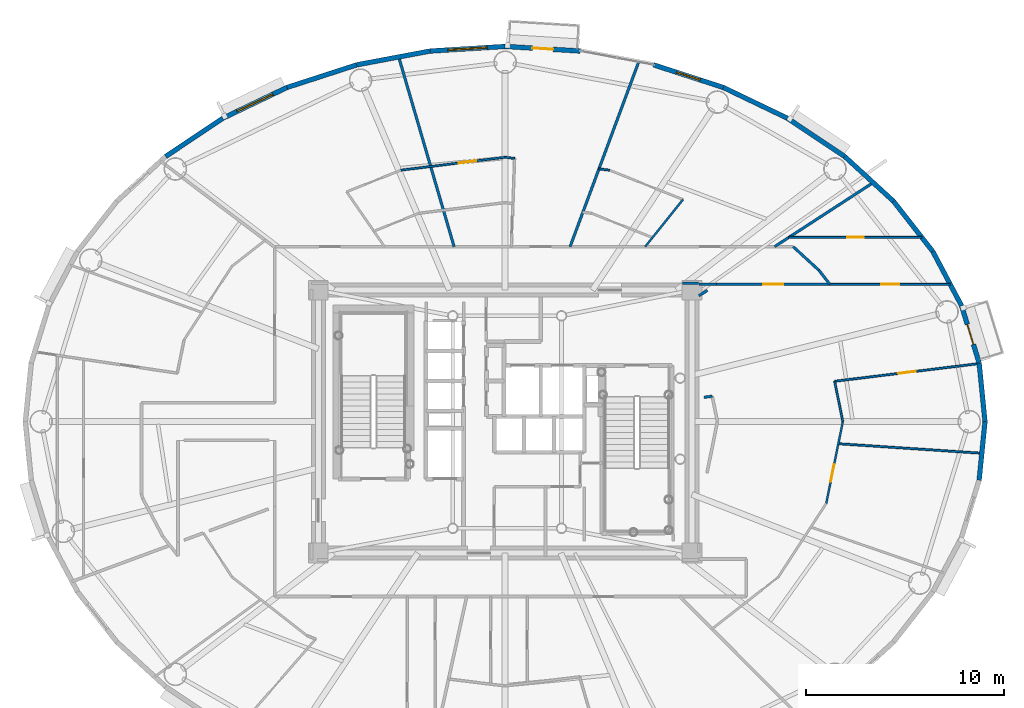
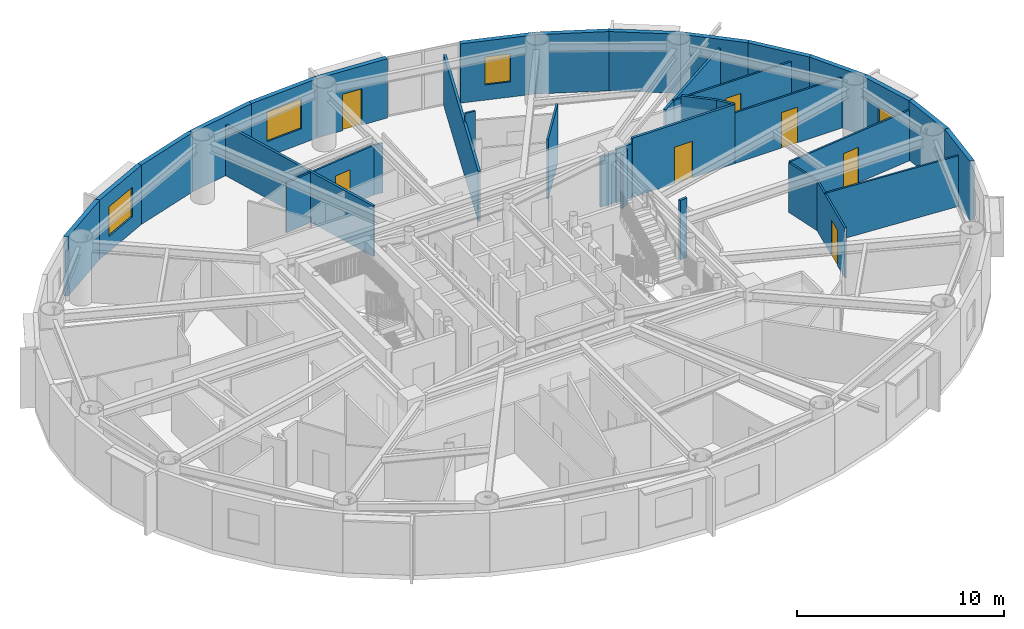
# One storey, part 11 of 20: 35 walls, 8 doors, 3 windows, 11 openings.
"""IFC4 building model written with IfcOpenShell, lengths in metres."""

from ifc_helpers import new_model, si_unit, direction, frame, frame_2d, origin, origin_2d, place, context, subcontext, project, spatial, rectangle, extrude, source, transform, mapped, material, layer, layer_set, type_object, element, fill, save


model = new_model("IFC4")

# Units and contexts
model_context = context("Model", 3, precision=1e-05, world=origin(), true_north=direction((0.0, 1.0)))
body_context = subcontext(model_context, "Body", "Model", "MODEL_VIEW")
ifc_project = project(units=[si_unit("LENGTHUNIT", "METRE"), si_unit("AREAUNIT", "SQUARE_METRE"), si_unit("VOLUMEUNIT", "CUBIC_METRE"), si_unit("PLANEANGLEUNIT", "RADIAN"), si_unit("MASSUNIT", "GRAM", prefix="KILO")], contexts=[model_context])

# Site, building, storey
site_placement = place(None, origin())
site = spatial("IfcSite", under=ifc_project, at=site_placement, CompositionType="ELEMENT")
building_placement = place(site_placement, origin())
building = spatial("IfcBuilding", under=site, at=building_placement, Name="Linh Dai School and Residence Tower", CompositionType="ELEMENT")
storey_placement = place(building_placement, frame((0.0, 0.0, 221.550048828125)))
storey = spatial("IfcBuildingStorey", under=building, at=storey_placement, Name="L54", CompositionType="ELEMENT", Elevation=221.550048828125)

# Wall
ifc_material_1 = material(Name="Precast Concrete B45 (C35/45)", Category="concrete")
ifc_layer_1 = layer(ifc_material_1, 0.239990234375)
ifc_layer_set_1 = layer_set([ifc_layer_1], Name="Precast Concrete B45 (C35/45)")
wall_type_1 = type_object("IfcWallType", Name="EW-TC-240", PredefinedType="SOLIDWALL", material=ifc_layer_set_1)
wall_1_placement = place(storey_placement, frame((59.97705078125, 29.9638671875, 0.0), z_axis=(0.0, 0.0, 1.0), x_axis=(0.099990595253, -0.994988382274, 0.0)))
element("IfcWall", 1, at=wall_1_placement, inside=storey, type_object=wall_type_1, Name="L54 Terracotta Exterior Wall 01", PredefinedType="SOLIDWALL", context=body_context, shape_type="SweptSolid", body=[
    extrude(rectangle(XDim=2.978759765625, YDim=0.239990234375, at=frame_2d((1.4892578125, 0.0))), origin(), (0.0, 0.0, 1.0), 3.5),
])

# Wall, opening, door
wall_2_placement = place(storey_placement, frame((59.09033203125, 32.85595703125, 0.0), z_axis=(0.0, 0.0, 1.0), x_axis=(0.293132907334, -0.95607170162, 0.0)))
wall_2 = element("IfcWall", 2, at=wall_2_placement, inside=storey, type_object=wall_type_1, Name="L54 Terracotta Exterior Wall 02", PredefinedType="SOLIDWALL", context=body_context, shape_type="SweptSolid", body=[
    extrude(rectangle(XDim=3.02490234375, YDim=0.239990234375, at=frame_2d((1.512451171875, 0.0))), origin(), (0.0, 0.0, 1.0), 3.5),
])
opening_1_placement = place(wall_2_placement, frame((0.9873046875, 0.0, 0.0)))
opening_1 = element("IfcOpeningElement", 3, at=opening_1_placement, cuts=wall_2, Name="Opening BD1", PredefinedType="OPENING", context=body_context, shape_type="SweptSolid", body=[
    extrude(rectangle(XDim=1.050048828125, YDim=2.14990234375, at=origin_2d()), frame((0.52490234375, 0.1298828125, 1.074951171875), z_axis=(0.0, -1.0, 0.0), x_axis=(1.0, 0.0, 0.0)), (0.0, 0.0, 1.0), 0.260009765625),
])
ifc_material_2 = material(Name="Double-Glazed Balcony Door", Category="glass")
door_type_1 = type_object("IfcDoorType", Name="DR-BALC-1050x2150", OperationType="NOTDEFINED", PredefinedType="DOOR", material=ifc_material_2)
shared_shape_1 = source(origin(), body_context, "Body", "SweptSolid", [
    extrude(rectangle(XDim=1.050048828125, YDim=2.14990234375, at=origin_2d()), frame((0.52490234375, 0.02490234375, 1.074951171875), z_axis=(0.0, -1.0, 0.0), x_axis=(1.0, 0.0, 0.0)), (0.0, 0.0, 1.0), 0.050048828125),
])
door_1_placement = place(opening_1_placement, origin())
door_1 = element("IfcDoor", 4, at=door_1_placement, inside=storey, type_object=door_type_1, Name="L54 Glazed Balcony Door 02", OperationType="SINGLE_SWING_RIGHT", OverallHeight=2.14990234375, OverallWidth=1.050048828125, PredefinedType="DOOR", context=body_context, shape_type="MappedRepresentation", body=[
    mapped(shared_shape_1, transform((0.0, 0.0, 0.0), x_axis=(1.0, 0.0, 0.0), y_axis=(0.0, 1.0, 0.0), z_axis=(0.0, 0.0, 1.0), scale=1.0)),
])
fill(opening_1, door_1)

# Walls
wall_3_placement = place(storey_placement, frame((57.6357421875, 35.605224609375, 0.0), z_axis=(0.0, 0.0, 1.0), x_axis=(0.46766049993, -0.883908172157, 0.0)))
element("IfcWall", 5, at=wall_3_placement, inside=storey, type_object=wall_type_1, Name="L54 Terracotta Exterior Wall 03", PredefinedType="SOLIDWALL", context=body_context, shape_type="SweptSolid", body=[
    extrude(rectangle(XDim=3.1103515625, YDim=0.239990234375, at=frame_2d((1.55517578125, 0.0))), origin(), (0.0, 0.0, 1.0), 3.5),
])
wall_4_placement = place(storey_placement, frame((55.6484375, 38.14453125, 0.0), z_axis=(0.0, 0.0, 1.0), x_axis=(0.616312344705, -0.787501805562, 0.0)))
element("IfcWall", 6, at=wall_4_placement, inside=storey, type_object=wall_type_1, Name="L54 Terracotta Exterior Wall 04", PredefinedType="SOLIDWALL", context=body_context, shape_type="SweptSolid", body=[
    extrude(rectangle(XDim=3.224609375, YDim=0.239990234375, at=frame_2d((1.6123046875, 0.0))), origin(), (0.0, 0.0, 1.0), 3.5),
])
wall_5_placement = place(storey_placement, frame((53.17626953125, 40.410888671875, 0.0), z_axis=(0.0, 0.0, 1.0), x_axis=(0.737123922599, -0.675757591694, 0.0)))
element("IfcWall", 7, at=wall_5_placement, inside=storey, type_object=wall_type_1, Name="L54 Terracotta Exterior Wall 05", PredefinedType="SOLIDWALL", context=body_context, shape_type="SweptSolid", body=[
    extrude(rectangle(XDim=3.353759765625, YDim=0.239990234375, at=frame_2d((1.6767578125, 0.0))), origin(), (0.0, 0.0, 1.0), 3.5),
])
wall_6_placement = place(storey_placement, frame((50.280029296875, 42.34765625, 0.0), z_axis=(0.0, 0.0, 1.0), x_axis=(0.831262496074, -0.555880079352, 0.0)))
element("IfcWall", 8, at=wall_6_placement, inside=storey, type_object=wall_type_1, Name="L54 Terracotta Exterior Wall 06", PredefinedType="SOLIDWALL", context=body_context, shape_type="SweptSolid", body=[
    extrude(rectangle(XDim=3.484130859375, YDim=0.239990234375, at=frame_2d((1.7421875, 0.0))), origin(), (0.0, 0.0, 1.0), 3.5),
])
wall_7_placement = place(storey_placement, frame((47.031005859375, 43.906494140625, 0.0), z_axis=(0.0, 0.0, 1.0), x_axis=(0.901598104751, -0.432574684313, 0.0)))
element("IfcWall", 9, at=wall_7_placement, inside=storey, type_object=wall_type_1, Name="L54 Terracotta Exterior Wall 07", PredefinedType="SOLIDWALL", context=body_context, shape_type="SweptSolid", body=[
    extrude(rectangle(XDim=3.603515625, YDim=0.239990234375, at=frame_2d((1.8017578125, 0.0))), origin(), (0.0, 0.0, 1.0), 3.5),
])

# Wall, opening, window
wall_8_placement = place(storey_placement, frame((43.50927734375, 45.048828125, 0.0), z_axis=(0.0, 0.0, 1.0), x_axis=(0.951210789182, -0.308541787354, 0.0)))
wall_8 = element("IfcWall", 10, at=wall_8_placement, inside=storey, type_object=wall_type_1, Name="L54 Terracotta Exterior Wall 08", PredefinedType="SOLIDWALL", context=body_context, shape_type="SweptSolid", body=[
    extrude(rectangle(XDim=3.702392578125, YDim=0.239990234375, at=frame_2d((1.85107421875, 0.0))), origin(), (0.0, 0.0, 1.0), 3.5),
])
opening_2_placement = place(wall_8_placement, frame((1.226318359375, 0.0, 0.89990234375)))
opening_2 = element("IfcOpeningElement", 11, at=opening_2_placement, cuts=wall_8, Name="Opening W3", PredefinedType="OPENING", context=body_context, shape_type="SweptSolid", body=[
    extrude(rectangle(XDim=1.25, YDim=1.64990234375, at=origin_2d()), frame((0.625, 0.1298828125, 0.824951171875), z_axis=(0.0, -1.0, 0.0), x_axis=(1.0, 0.0, 0.0)), (0.0, 0.0, 1.0), 0.260009765625),
])
ifc_material_3 = material(Name="Double Low-E Insulated Glazing", Category="glass")
window_type_1 = type_object("IfcWindowType", Name="WN-RES-1250x1650", PartitioningType="SINGLE_PANEL", PredefinedType="WINDOW", material=ifc_material_3)
shared_shape_2 = source(origin(), body_context, "Body", "SweptSolid", [
    extrude(rectangle(XDim=1.25, YDim=1.64990234375, at=origin_2d()), frame((0.625, 0.030029296875, 0.824951171875), z_axis=(0.0, -1.0, 0.0), x_axis=(1.0, 0.0, 0.0)), (0.0, 0.0, 1.0), 0.06005859375),
])
window_1_placement = place(opening_2_placement, origin())
window_1 = element("IfcWindow", 12, at=window_1_placement, inside=storey, type_object=window_type_1, Name="L54 Dwelling Window U5401-LIV", OverallHeight=1.64990234375, OverallWidth=1.25, PartitioningType="SINGLE_PANEL", PredefinedType="WINDOW", context=body_context, shape_type="MappedRepresentation", body=[
    mapped(shared_shape_2, transform((0.0, 0.0, 0.0), x_axis=(1.0, 0.0, 0.0), y_axis=(0.0, 1.0, 0.0), z_axis=(0.0, 0.0, 1.0), scale=1.0)),
])
fill(opening_2, window_1)

# Wall, opening, door
wall_9_placement = place(storey_placement, frame((36.0, 45.97998046875, 0.0), z_axis=(0.0, 0.0, 1.0), x_axis=(0.998108785312, -0.06147237333, 0.0)))
wall_9 = element("IfcWall", 13, at=wall_9_placement, inside=storey, type_object=wall_type_1, Name="L54 Terracotta Exterior Wall 10", PredefinedType="SOLIDWALL", context=body_context, shape_type="SweptSolid", body=[
    extrude(rectangle(XDim=3.808837890625, YDim=0.239990234375, at=frame_2d((1.904296875, 0.0))), origin(), (0.0, 0.0, 1.0), 3.5),
])
opening_3_placement = place(wall_9_placement, frame((1.37939453125, 0.0, 0.0)))
opening_3 = element("IfcOpeningElement", 14, at=opening_3_placement, cuts=wall_9, Name="Opening BD1", PredefinedType="OPENING", context=body_context, shape_type="SweptSolid", body=[
    extrude(rectangle(XDim=1.050048828125, YDim=2.14990234375, at=origin_2d()), frame((0.52490234375, 0.1298828125, 1.074951171875), z_axis=(0.0, -1.0, 0.0), x_axis=(1.0, 0.0, 0.0)), (0.0, 0.0, 1.0), 0.260009765625),
])
door_2_placement = place(opening_3_placement, origin())
door_2 = element("IfcDoor", 15, at=door_2_placement, inside=storey, type_object=door_type_1, Name="L54 Glazed Balcony Door 10", OperationType="SINGLE_SWING_LEFT", OverallHeight=2.14990234375, OverallWidth=1.050048828125, PredefinedType="DOOR", context=body_context, shape_type="MappedRepresentation", body=[
    mapped(shared_shape_1, transform((0.0, 0.0, 0.0), x_axis=(1.0, 0.0, 0.0), y_axis=(0.0, 1.0, 0.0), z_axis=(0.0, 0.0, 1.0), scale=1.0)),
])
fill(opening_3, door_2)

# Wall, opening, window
wall_10_placement = place(storey_placement, frame((32.198486328125, 45.745849609375, 0.0), z_axis=(0.0, 0.0, 1.0), x_axis=(0.998108785312, 0.06147237333, 0.0)))
wall_10 = element("IfcWall", 16, at=wall_10_placement, inside=storey, type_object=wall_type_1, Name="L54 Terracotta Exterior Wall 11", PredefinedType="SOLIDWALL", context=body_context, shape_type="SweptSolid", body=[
    extrude(rectangle(XDim=3.808837890625, YDim=0.239990234375, at=frame_2d((1.904296875, 0.0))), origin(), (0.0, 0.0, 1.0), 3.5),
])
opening_4_placement = place(wall_10_placement, frame((0.904541015625, 0.0, 0.89990234375)))
opening_4 = element("IfcOpeningElement", 17, at=opening_4_placement, cuts=wall_10, Name="Opening W1", PredefinedType="OPENING", context=body_context, shape_type="SweptSolid", body=[
    extrude(rectangle(XDim=2.0, YDim=1.75, at=origin_2d()), frame((1.0, 0.1298828125, 0.875), z_axis=(0.0, -1.0, 0.0), x_axis=(1.0, 0.0, 0.0)), (0.0, 0.0, 1.0), 0.260009765625),
])
window_type_2 = type_object("IfcWindowType", Name="WN-RES-2000x1750", PartitioningType="DOUBLE_PANEL_VERTICAL", PredefinedType="WINDOW", material=ifc_material_3)
shared_shape_3 = source(origin(), body_context, "Body", "SweptSolid", [
    extrude(rectangle(XDim=2.0, YDim=1.75, at=origin_2d()), frame((1.0, 0.030029296875, 0.875), z_axis=(0.0, -1.0, 0.0), x_axis=(1.0, 0.0, 0.0)), (0.0, 0.0, 1.0), 0.06005859375),
])
window_2_placement = place(opening_4_placement, origin())
window_2 = element("IfcWindow", 18, at=window_2_placement, inside=storey, type_object=window_type_2, Name="L54 Exterior Window 11.1", OverallHeight=1.75, OverallWidth=2.0, PartitioningType="DOUBLE_PANEL_VERTICAL", PredefinedType="WINDOW", context=body_context, shape_type="MappedRepresentation", body=[
    mapped(shared_shape_3, transform((0.0, 0.0, 0.0), x_axis=(1.0, 0.0, 0.0), y_axis=(0.0, 1.0, 0.0), z_axis=(0.0, 0.0, 1.0), scale=1.0)),
])
fill(opening_4, window_2)

# Walls
wall_11_placement = place(storey_placement, frame((28.49072265625, 45.048828125, 0.0), z_axis=(0.0, 0.0, 1.0), x_axis=(0.982784898575, 0.184753465822, 0.0)))
element("IfcWall", 19, at=wall_11_placement, inside=storey, type_object=wall_type_1, Name="L54 Terracotta Exterior Wall 12", PredefinedType="SOLIDWALL", context=body_context, shape_type="SweptSolid", body=[
    extrude(rectangle(XDim=3.772705078125, YDim=0.239990234375, at=frame_2d((1.88623046875, 0.0))), origin(), (0.0, 0.0, 1.0), 3.5),
])
wall_12_placement = place(storey_placement, frame((24.968994140625, 43.906494140625, 0.0), z_axis=(0.0, 0.0, 1.0), x_axis=(0.951210789182, 0.308541787354, 0.0)))
element("IfcWall", 20, at=wall_12_placement, inside=storey, type_object=wall_type_1, Name="L54 Terracotta Exterior Wall 13", PredefinedType="SOLIDWALL", context=body_context, shape_type="SweptSolid", body=[
    extrude(rectangle(XDim=3.702392578125, YDim=0.239990234375, at=frame_2d((1.85107421875, 0.0))), origin(), (0.0, 0.0, 1.0), 3.5),
])

# Wall, opening, window
wall_13_placement = place(storey_placement, frame((21.719970703125, 42.34765625, 0.0), z_axis=(0.0, 0.0, 1.0), x_axis=(0.901598104751, 0.432574684313, 0.0)))
wall_13 = element("IfcWall", 21, at=wall_13_placement, inside=storey, type_object=wall_type_1, Name="L54 Terracotta Exterior Wall 14", PredefinedType="SOLIDWALL", context=body_context, shape_type="SweptSolid", body=[
    extrude(rectangle(XDim=3.603515625, YDim=0.239990234375, at=frame_2d((1.8017578125, 0.0))), origin(), (0.0, 0.0, 1.0), 3.5),
])
opening_5_placement = place(wall_13_placement, frame((0.802001953125, 0.0, 0.89990234375)))
opening_5 = element("IfcOpeningElement", 22, at=opening_5_placement, cuts=wall_13, Name="Opening W1", PredefinedType="OPENING", context=body_context, shape_type="SweptSolid", body=[
    extrude(rectangle(XDim=2.0, YDim=1.75, at=origin_2d()), frame((1.0, 0.1298828125, 0.875), z_axis=(0.0, -1.0, 0.0), x_axis=(1.0, 0.0, 0.0)), (0.0, 0.0, 1.0), 0.260009765625),
])
window_3_placement = place(opening_5_placement, origin())
window_3 = element("IfcWindow", 23, at=window_3_placement, inside=storey, type_object=window_type_2, Name="L54 Exterior Window 14.1", OverallHeight=1.75, OverallWidth=2.0, PartitioningType="DOUBLE_PANEL_VERTICAL", PredefinedType="WINDOW", context=body_context, shape_type="MappedRepresentation", body=[
    mapped(shared_shape_3, transform((0.0, 0.0, 0.0), x_axis=(1.0, 0.0, 0.0), y_axis=(0.0, 1.0, 0.0), z_axis=(0.0, 0.0, 1.0), scale=1.0)),
])
fill(opening_5, window_3)

# Walls
wall_14_placement = place(storey_placement, frame((18.82373046875, 40.410888671875, 0.0), z_axis=(0.0, 0.0, 1.0), x_axis=(0.831262496074, 0.555880079352, 0.0)))
element("IfcWall", 24, at=wall_14_placement, inside=storey, type_object=wall_type_1, Name="L54 Terracotta Exterior Wall 15", PredefinedType="SOLIDWALL", context=body_context, shape_type="SweptSolid", body=[
    extrude(rectangle(XDim=3.484130859375, YDim=0.239990234375, at=frame_2d((1.7421875, 0.0))), origin(), (0.0, 0.0, 1.0), 3.5),
])
wall_15_placement = place(storey_placement, frame((60.27490234375, 27.0, 0.0), z_axis=(0.0, 0.0, 1.0), x_axis=(-0.099990595253, -0.994988382274, 0.0)))
element("IfcWall", 25, at=wall_15_placement, inside=storey, type_object=wall_type_1, Name="L54 Terracotta Exterior Wall 40", PredefinedType="SOLIDWALL", context=body_context, shape_type="SweptSolid", body=[
    extrude(rectangle(XDim=2.978759765625, YDim=0.239990234375, at=frame_2d((1.4892578125, 0.0))), origin(), (0.0, 0.0, 1.0), 3.5),
])
ifc_material_4 = material(Name="Autoclaved Aerated Concrete Blockwork", Category="masonry")
ifc_layer_2 = layer(ifc_material_4, 0.135009765625)
ifc_layer_set_2 = layer_set([ifc_layer_2], Name="Autoclaved Aerated Concrete Blockwork")
wall_type_2 = type_object("IfcWallType", Name="IW-CORR-135-EI90", PredefinedType="PARTITIONING", material=ifc_layer_set_2)
wall_16_placement = place(storey_placement, frame((30.613037109375, 45.452880859375, 0.0), z_axis=(0.0, 0.0, 1.0), x_axis=(0.280222100614, -0.959935192775, 0.0)))
element("IfcWall", 26, at=wall_16_placement, inside=storey, type_object=wall_type_2, Name="L54 Interior Partition Wall 029", PredefinedType="PARTITIONING", context=body_context, shape_type="SweptSolid", body=[
    extrude(rectangle(XDim=10.003662109375, YDim=0.135009765625, at=frame_2d((5.001953125, 0.0))), origin(), (0.0, 0.0, 1.0), 2.98486328125),
])
wall_17_placement = place(storey_placement, frame((39.28466796875, 35.85009765625, 0.0), z_axis=(0.0, 0.0, 1.0), x_axis=(0.347978689674, 0.937502443481, 0.0)))
element("IfcWall", 27, at=wall_17_placement, inside=storey, type_object=wall_type_2, Name="L54 Interior Partition Wall 069", PredefinedType="PARTITIONING", context=body_context, shape_type="SweptSolid", body=[
    extrude(rectangle(XDim=9.968994140625, YDim=0.135009765625, at=frame_2d((4.984375, 0.0))), origin(), (0.0, 0.0, 1.0), 2.98486328125),
])

# Wall, opening, door
wall_18_placement = place(storey_placement, frame((46.69091796875, 33.949951171875, 0.0), z_axis=(0.0, 0.0, 1.0), x_axis=(1.0, 0.0, 0.0)))
wall_18 = element("IfcWall", 28, at=wall_18_placement, inside=storey, type_object=wall_type_2, Name="L54 Interior Partition Wall 086", PredefinedType="PARTITIONING", context=body_context, shape_type="SweptSolid", body=[
    extrude(rectangle(XDim=5.73291015625, YDim=0.135009765625, at=frame_2d((2.866455078125, 0.0))), origin(), (0.0, 0.0, 1.0), 3.5),
])
opening_6_placement = place(wall_18_placement, frame((2.366455078125, 0.0, 0.0)))
opening_6 = element("IfcOpeningElement", 29, at=opening_6_placement, cuts=wall_18, Name="Opening D03", PredefinedType="OPENING", context=body_context, shape_type="SweptSolid", body=[
    extrude(rectangle(XDim=1.0, YDim=2.14990234375, at=origin_2d()), frame((0.5, 0.07763671875, 1.074951171875), z_axis=(0.0, -1.0, 0.0), x_axis=(1.0, 0.0, 0.0)), (0.0, 0.0, 1.0), 0.155029296875),
])
ifc_material_5 = material(Name="Fire-Rated Solid Timber Entrance Door", Category="wood")
door_type_2 = type_object("IfcDoorType", Name="DR-FLAT-1000x2150-FD60S", OperationType="NOTDEFINED", PredefinedType="DOOR", material=ifc_material_5)
shared_shape_4 = source(origin(), body_context, "Body", "SweptSolid", [
    extrude(rectangle(XDim=1.0, YDim=2.14990234375, at=origin_2d()), frame((0.5, 0.02490234375, 1.074951171875), z_axis=(0.0, -1.0, 0.0), x_axis=(1.0, 0.0, 0.0)), (0.0, 0.0, 1.0), 0.050048828125),
])
door_3_placement = place(opening_6_placement, origin())
door_3 = element("IfcDoor", 30, at=door_3_placement, inside=storey, type_object=door_type_2, Name="L54 U5407 Apartment Entrance Door", OperationType="SINGLE_SWING_RIGHT", OverallHeight=2.14990234375, OverallWidth=1.0, PredefinedType="DOOR", context=body_context, shape_type="MappedRepresentation", body=[
    mapped(shared_shape_4, transform((0.0, 0.0, 0.0), x_axis=(1.0, 0.0, 0.0), y_axis=(0.0, 1.0, 0.0), z_axis=(0.0, 0.0, 1.0), scale=1.0)),
])
fill(opening_6, door_3)

# Walls
wall_19_placement = place(storey_placement, frame((49.627685546875, 35.85009765625, 0.0), z_axis=(0.0, 0.0, 1.0), x_axis=(0.838688976762, 0.544610686875, 0.0)))
element("IfcWall", 31, at=wall_19_placement, inside=storey, type_object=wall_type_2, Name="L54 Interior Partition Wall 088", PredefinedType="PARTITIONING", context=body_context, shape_type="SweptSolid", body=[
    extrude(rectangle(XDim=5.9541015625, YDim=0.135009765625, at=frame_2d((2.97705078125, 0.0))), origin(), (0.0, 0.0, 1.0), 2.98486328125),
])
wall_20_placement = place(storey_placement, frame((50.56787109375, 35.85009765625, 0.0), z_axis=(0.0, 0.0, 1.0), x_axis=(0.737102657331, -0.675780787353, 0.0)))
element("IfcWall", 32, at=wall_20_placement, inside=storey, type_object=wall_type_2, Name="L54 Interior Partition Wall 091", PredefinedType="PARTITIONING", context=body_context, shape_type="SweptSolid", body=[
    extrude(rectangle(XDim=1.771728515625, YDim=0.135009765625, at=frame_2d((0.8857421875, 0.0))), origin(), (0.0, 0.0, 1.0), 3.5),
])
wall_21_placement = place(storey_placement, frame((51.873779296875, 34.65283203125, 0.0), z_axis=(0.0, 0.0, 1.0), x_axis=(0.61628613448, -0.787522317429, 0.0)))
element("IfcWall", 33, at=wall_21_placement, inside=storey, type_object=wall_type_2, Name="L54 Interior Partition Wall 093", PredefinedType="PARTITIONING", context=body_context, shape_type="SweptSolid", body=[
    extrude(rectangle(XDim=0.892578125, YDim=0.135009765625, at=frame_2d((0.4462890625, 0.0))), origin(), (0.0, 0.0, 1.0), 3.5),
])
wall_22_placement = place(storey_placement, frame((46.680908203125, 33.949951171875, 0.0), z_axis=(0.0, 0.0, 1.0), x_axis=(-1.0, 0.0, 0.0)))
element("IfcWall", 34, at=wall_22_placement, inside=storey, type_object=wall_type_2, Name="L54 Interior Partition Wall 106", PredefinedType="PARTITIONING", context=body_context, shape_type="SweptSolid", body=[
    extrude(rectangle(XDim=0.880859375, YDim=0.135009765625, at=frame_2d((0.4404296875, 0.0))), origin(), (0.0, 0.0, 1.0), 3.18505859375),
])
wall_23_placement = place(storey_placement, frame((45.7900390625, 34.0, 0.0), z_axis=(0.0, 0.0, 1.0), x_axis=(-1.0, 0.0, 0.0)))
element("IfcWall", 35, at=wall_23_placement, inside=storey, type_object=wall_type_2, Name="L54 Interior Partition Wall 107", PredefinedType="PARTITIONING", context=body_context, shape_type="SweptSolid", body=[
    extrude(rectangle(XDim=0.830078125, YDim=0.135009765625, at=frame_2d((0.4150390625, 0.0))), origin(), (0.0, 0.0, 1.0), 2.93505859375),
])
wall_24_placement = place(storey_placement, frame((46.4765625, 28.282958984375, 0.0), z_axis=(0.0, 0.0, 1.0), x_axis=(-0.992649287811, -0.121026407893, 0.0)))
element("IfcWall", 36, at=wall_24_placement, inside=storey, type_object=wall_type_2, Name="L54 Interior Partition Wall 120", PredefinedType="PARTITIONING", context=body_context, shape_type="SweptSolid", body=[
    extrude(rectangle(XDim=0.419677734375, YDim=0.135009765625, at=frame_2d((0.2099609375, 0.0))), origin(), (0.0, 0.0, 1.0), 3.5),
])
wall_25_placement = place(storey_placement, frame((45.800048828125, 33.3642578125, 0.0), z_axis=(0.0, 0.0, 1.0), x_axis=(0.838607336961, 0.544736389821, 0.0)))
element("IfcWall", 37, at=wall_25_placement, inside=storey, type_object=wall_type_2, Name="L54 Interior Partition Wall 121", PredefinedType="PARTITIONING", context=body_context, shape_type="SweptSolid", body=[
    extrude(rectangle(XDim=0.510986328125, YDim=0.135009765625, at=frame_2d((0.25537109375, 0.0))), origin(), (0.0, 0.0, 1.0), 3.18505859375),
])

# Wall, opening, door
ifc_material_6 = material(Name="Gypsum Plasterboard Acoustic Stud Partition", Category="masonry")
ifc_layer_3 = layer(ifc_material_6, 0.10009765625)
ifc_layer_set_3 = layer_set([ifc_layer_3], Name="Gypsum Plasterboard Acoustic Stud Partition")
wall_type_3 = type_object("IfcWallType", Name="IW-UNIT-100", PredefinedType="PARTITIONING", material=ifc_layer_set_3)
wall_26_placement = place(storey_placement, frame((30.721923828125, 39.718994140625, 0.0), z_axis=(0.0, 0.0, 1.0), x_axis=(0.992398169186, 0.123068573551, 0.0)))
wall_26 = element("IfcWall", 38, at=wall_26_placement, inside=storey, type_object=wall_type_3, Name="L54 Interior Partition Wall 030", PredefinedType="PARTITIONING", context=body_context, shape_type="SweptSolid", body=[
    extrude(rectangle(XDim=5.318603515625, YDim=0.10009765625, at=frame_2d((2.6591796875, 0.0))), origin(), (0.0, 0.0, 1.0), 2.93505859375),
])
opening_7_placement = place(wall_26_placement, frame((2.9501953125, 0.0, 0.0)))
opening_7 = element("IfcOpeningElement", 39, at=opening_7_placement, cuts=wall_26, Name="Opening D05", PredefinedType="OPENING", context=body_context, shape_type="SweptSolid", body=[
    extrude(rectangle(XDim=0.89990234375, YDim=2.10009765625, at=origin_2d()), frame((0.449951171875, 0.06005859375, 1.050048828125), z_axis=(0.0, -1.0, 0.0), x_axis=(1.0, 0.0, 0.0)), (0.0, 0.0, 1.0), 0.1201171875),
])
ifc_material_7 = material(Name="Engineered Timber Internal Door", Category="wood")
door_type_3 = type_object("IfcDoorType", Name="DR-INT-900x2100", OperationType="NOTDEFINED", PredefinedType="DOOR", material=ifc_material_7)
shared_shape_5 = source(origin(), body_context, "Body", "SweptSolid", [
    extrude(rectangle(XDim=0.89990234375, YDim=2.10009765625, at=origin_2d()), frame((0.449951171875, 0.02490234375, 1.050048828125), z_axis=(0.0, -1.0, 0.0), x_axis=(1.0, 0.0, 0.0)), (0.0, 0.0, 1.0), 0.050048828125),
])
door_4_placement = place(opening_7_placement, origin())
door_4 = element("IfcDoor", 40, at=door_4_placement, inside=storey, type_object=door_type_3, Name="L54 Apartment U5402 Kitchen Door", OperationType="SINGLE_SWING_RIGHT", OverallHeight=2.10009765625, OverallWidth=0.89990234375, PredefinedType="DOOR", context=body_context, shape_type="MappedRepresentation", body=[
    mapped(shared_shape_5, transform((0.0, 0.0, 0.0), x_axis=(1.0, 0.0, 0.0), y_axis=(0.0, 1.0, 0.0), z_axis=(0.0, 0.0, 1.0), scale=1.0)),
])
fill(opening_7, door_4)

# Walls
wall_27_placement = place(storey_placement, frame((36.0, 40.37353515625, 0.0), z_axis=(0.0, 0.0, 1.0), x_axis=(0.992363891793, -0.123344664517, 0.0)))
element("IfcWall", 41, at=wall_27_placement, inside=storey, type_object=wall_type_3, Name="L54 Interior Partition Wall 061", PredefinedType="PARTITIONING", context=body_context, shape_type="SweptSolid", body=[
    extrude(rectangle(XDim=0.47900390625, YDim=0.10009765625, at=frame_2d((0.239501953125, 0.0))), origin(), (0.0, 0.0, 1.0), 2.93505859375),
])
wall_28_placement = place(storey_placement, frame((40.745361328125, 39.784912109375, 0.0), z_axis=(0.0, 0.0, 1.0), x_axis=(0.992431053699, -0.122803109303, 0.0)))
element("IfcWall", 42, at=wall_28_placement, inside=storey, type_object=wall_type_3, Name="L54 Interior Partition Wall 077", PredefinedType="PARTITIONING", context=body_context, shape_type="SweptSolid", body=[
    extrude(rectangle(XDim=0.536865234375, YDim=0.10009765625, at=frame_2d((0.2685546875, 0.0))), origin(), (0.0, 0.0, 1.0), 3.5),
])
wall_29_placement = place(storey_placement, frame((43.08544921875, 35.85009765625, 0.0), z_axis=(0.0, 0.0, 1.0), x_axis=(0.62500673738, 0.780619355531, 0.0)))
element("IfcWall", 43, at=wall_29_placement, inside=storey, type_object=wall_type_3, Name="L54 Interior Partition Wall 081", PredefinedType="PARTITIONING", context=body_context, shape_type="SweptSolid", body=[
    extrude(rectangle(XDim=3.05615234375, YDim=0.10009765625, at=frame_2d((1.528076171875, 0.0))), origin(), (0.0, 0.0, 1.0), 3.5),
])

# Wall, opening, door
wall_30_placement = place(storey_placement, frame((50.3505859375, 36.3193359375, 0.0), z_axis=(0.0, 0.0, 1.0), x_axis=(1.0, 0.0, 0.0)))
wall_30 = element("IfcWall", 44, at=wall_30_placement, inside=storey, type_object=wall_type_3, Name="L54 Interior Partition Wall 090", PredefinedType="PARTITIONING", context=body_context, shape_type="SweptSolid", body=[
    extrude(rectangle(XDim=6.732666015625, YDim=0.10009765625, at=frame_2d((3.3662109375, 0.0))), origin(), (0.0, 0.0, 1.0), 2.98486328125),
])
opening_8_placement = place(wall_30_placement, frame((2.956298828125, 0.0, 0.0)))
opening_8 = element("IfcOpeningElement", 45, at=opening_8_placement, cuts=wall_30, Name="Opening D06", PredefinedType="OPENING", context=body_context, shape_type="SweptSolid", body=[
    extrude(rectangle(XDim=0.820068359375, YDim=2.10009765625, at=origin_2d()), frame((0.41015625, 0.06005859375, 1.050048828125), z_axis=(0.0, -1.0, 0.0), x_axis=(1.0, 0.0, 0.0)), (0.0, 0.0, 1.0), 0.1201171875),
])
ifc_material_8 = material(Name="Moisture-Resistant Timber Bathroom Door", Category="wood")
door_type_4 = type_object("IfcDoorType", Name="DR-WET-820x2100", OperationType="NOTDEFINED", PredefinedType="DOOR", material=ifc_material_8)
shared_shape_6 = source(origin(), body_context, "Body", "SweptSolid", [
    extrude(rectangle(XDim=0.820068359375, YDim=2.10009765625, at=origin_2d()), frame((0.41015625, 0.02490234375, 1.050048828125), z_axis=(0.0, -1.0, 0.0), x_axis=(1.0, 0.0, 0.0)), (0.0, 0.0, 1.0), 0.050048828125),
])
door_5_placement = place(opening_8_placement, origin())
door_5 = element("IfcDoor", 46, at=door_5_placement, inside=storey, type_object=door_type_4, Name="L54 Apartment U5407 Bathroom 1 Door", OperationType="SINGLE_SWING_LEFT", OverallHeight=2.10009765625, OverallWidth=0.820068359375, PredefinedType="DOOR", context=body_context, shape_type="MappedRepresentation", body=[
    mapped(shared_shape_6, transform((0.0, 0.0, 0.0), x_axis=(1.0, 0.0, 0.0), y_axis=(0.0, 1.0, 0.0), z_axis=(0.0, 0.0, 1.0), scale=1.0)),
])
fill(opening_8, door_5)

wall_31_placement = place(storey_placement, frame((52.244140625, 22.867431640625, 0.0), z_axis=(0.0, 0.0, 1.0), x_axis=(0.198264809747, 0.980148491411, 0.0)))
wall_31 = element("IfcWall", 47, at=wall_31_placement, inside=storey, type_object=wall_type_3, Name="L54 Interior Partition Wall 094", PredefinedType="PARTITIONING", context=body_context, shape_type="SweptSolid", body=[
    extrude(rectangle(XDim=4.21630859375, YDim=0.10009765625, at=frame_2d((2.108154296875, 0.0))), origin(), (0.0, 0.0, 1.0), 2.93505859375),
])
opening_9_placement = place(wall_31_placement, frame((1.10791015625, 0.0, 0.0)))
opening_9 = element("IfcOpeningElement", 48, at=opening_9_placement, cuts=wall_31, Name="Opening D05", PredefinedType="OPENING", context=body_context, shape_type="SweptSolid", body=[
    extrude(rectangle(XDim=0.89990234375, YDim=2.10009765625, at=origin_2d()), frame((0.449951171875, 0.06005859375, 1.050048828125), z_axis=(0.0, -1.0, 0.0), x_axis=(1.0, 0.0, 0.0)), (0.0, 0.0, 1.0), 0.1201171875),
])
door_6_placement = place(opening_9_placement, origin())
door_6 = element("IfcDoor", 49, at=door_6_placement, inside=storey, type_object=door_type_3, Name="L54 Apartment U5407 Principal Bedroom 2 Door", OperationType="SINGLE_SWING_RIGHT", OverallHeight=2.10009765625, OverallWidth=0.89990234375, PredefinedType="DOOR", context=body_context, shape_type="MappedRepresentation", body=[
    mapped(shared_shape_5, transform((0.0, 0.0, 0.0), x_axis=(1.0, 0.0, 0.0), y_axis=(0.0, 1.0, 0.0), z_axis=(0.0, 0.0, 1.0), scale=1.0)),
])
fill(opening_9, door_6)

wall_32_placement = place(storey_placement, frame((52.433837890625, 33.94287109375, 0.0), z_axis=(0.0, 0.0, 1.0), x_axis=(1.0, 0.0, 0.0)))
wall_32 = element("IfcWall", 50, at=wall_32_placement, inside=storey, type_object=wall_type_3, Name="L54 Interior Partition Wall 095", PredefinedType="PARTITIONING", context=body_context, shape_type="SweptSolid", body=[
    extrude(rectangle(XDim=6.087158203125, YDim=0.10009765625, at=frame_2d((3.04345703125, 0.0))), origin(), (0.0, 0.0, 1.0), 2.98486328125),
])
opening_10_placement = place(wall_32_placement, frame((2.593505859375, 0.0, 0.0)))
opening_10 = element("IfcOpeningElement", 51, at=opening_10_placement, cuts=wall_32, Name="Opening D05", PredefinedType="OPENING", context=body_context, shape_type="SweptSolid", body=[
    extrude(rectangle(XDim=0.89990234375, YDim=2.10009765625, at=origin_2d()), frame((0.449951171875, 0.06005859375, 1.050048828125), z_axis=(0.0, -1.0, 0.0), x_axis=(1.0, 0.0, 0.0)), (0.0, 0.0, 1.0), 0.1201171875),
])
door_7_placement = place(opening_10_placement, origin())
door_7 = element("IfcDoor", 52, at=door_7_placement, inside=storey, type_object=door_type_3, Name="L54 Apartment U5407 Kitchen Door", OperationType="SINGLE_SWING_RIGHT", OverallHeight=2.10009765625, OverallWidth=0.89990234375, PredefinedType="DOOR", context=body_context, shape_type="MappedRepresentation", body=[
    mapped(shared_shape_5, transform((0.0, 0.0, 0.0), x_axis=(1.0, 0.0, 0.0), y_axis=(0.0, 1.0, 0.0), z_axis=(0.0, 0.0, 1.0), scale=1.0)),
])
fill(opening_10, door_7)

# Wall
wall_33_placement = place(storey_placement, frame((52.6669921875, 29.041259765625, 0.0), z_axis=(0.0, 0.0, 1.0), x_axis=(0.198347441677, -0.980131772967, 0.0)))
element("IfcWall", 53, at=wall_33_placement, inside=storey, type_object=wall_type_3, Name="L54 Interior Partition Wall 096", PredefinedType="PARTITIONING", context=body_context, shape_type="SweptSolid", body=[
    extrude(rectangle(XDim=2.08251953125, YDim=0.10009765625, at=frame_2d((1.041259765625, 0.0))), origin(), (0.0, 0.0, 1.0), 2.93505859375),
])

# Wall, opening, door
wall_34_placement = place(storey_placement, frame((52.6669921875, 29.041259765625, 0.0), z_axis=(0.0, 0.0, 1.0), x_axis=(0.992583045475, 0.121568490306, 0.0)))
wall_34 = element("IfcWall", 54, at=wall_34_placement, inside=storey, type_object=wall_type_3, Name="L54 Interior Partition Wall 097", PredefinedType="PARTITIONING", context=body_context, shape_type="SweptSolid", body=[
    extrude(rectangle(XDim=7.372314453125, YDim=0.10009765625, at=frame_2d((3.68603515625, 0.0))), origin(), (0.0, 0.0, 1.0), 2.98486328125),
])
opening_11_placement = place(wall_34_placement, frame((3.236083984375, 0.0, 0.0)))
opening_11 = element("IfcOpeningElement", 55, at=opening_11_placement, cuts=wall_34, Name="Opening D05", PredefinedType="OPENING", context=body_context, shape_type="SweptSolid", body=[
    extrude(rectangle(XDim=0.89990234375, YDim=2.10009765625, at=origin_2d()), frame((0.449951171875, 0.06005859375, 1.050048828125), z_axis=(0.0, -1.0, 0.0), x_axis=(1.0, 0.0, 0.0)), (0.0, 0.0, 1.0), 0.1201171875),
])
door_8_placement = place(opening_11_placement, origin())
door_8 = element("IfcDoor", 56, at=door_8_placement, inside=storey, type_object=door_type_3, Name="L54 Apartment U5407 Study Door", OperationType="SINGLE_SWING_LEFT", OverallHeight=2.10009765625, OverallWidth=0.89990234375, PredefinedType="DOOR", context=body_context, shape_type="MappedRepresentation", body=[
    mapped(shared_shape_5, transform((0.0, 0.0, 0.0), x_axis=(1.0, 0.0, 0.0), y_axis=(0.0, 1.0, 0.0), z_axis=(0.0, 0.0, 1.0), scale=1.0)),
])
fill(opening_11, door_8)

# Wall
wall_35_placement = place(storey_placement, frame((52.853759765625, 25.882080078125, 0.0), z_axis=(0.0, 0.0, 1.0), x_axis=(0.997807208554, -0.06618741993, 0.0)))
element("IfcWall", 57, at=wall_35_placement, inside=storey, type_object=wall_type_3, Name="L54 Interior Partition Wall 098", PredefinedType="PARTITIONING", context=body_context, shape_type="SweptSolid", body=[
    extrude(rectangle(XDim=7.28125, YDim=0.10009765625, at=frame_2d((3.640625, 0.0))), origin(), (0.0, 0.0, 1.0), 2.98486328125),
])

save(model, "model.ifc")
